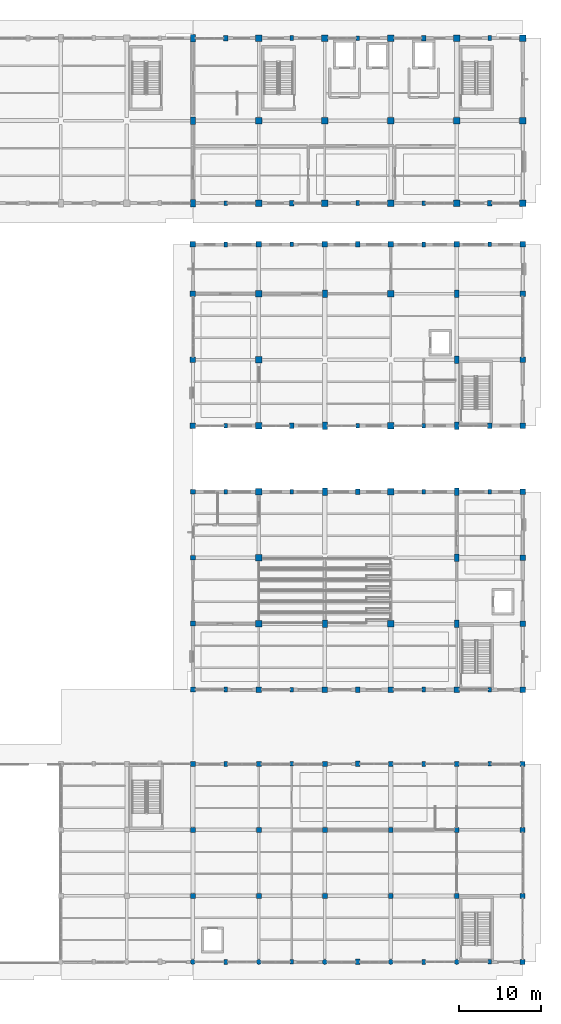
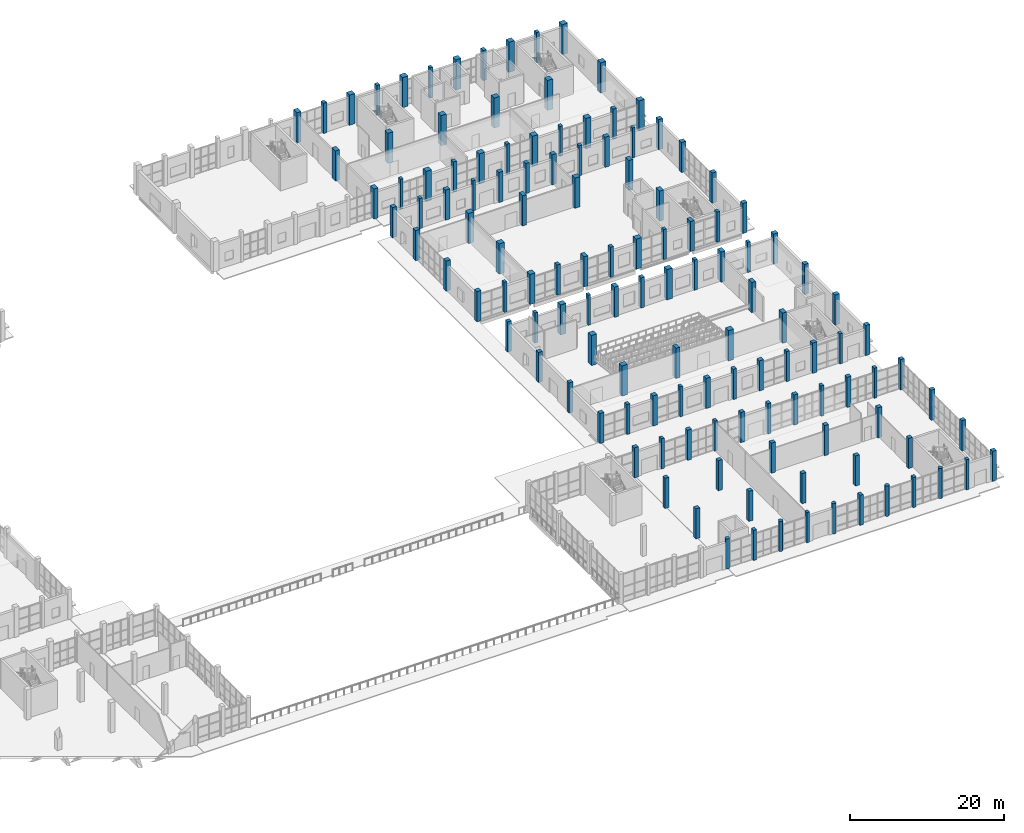
# One storey, part 2 of 156: 126 columns.
"""IFC4 building model written with IfcOpenShell, lengths in metres."""

from ifc_helpers import new_model, si_unit, direction, frame, origin, origin_2d, place, context, subcontext, project, spatial, rectangle, circle, extrude, material, material_profile, profile_set, type_object, element, save


model = new_model("IFC4")

# Units and contexts
model_context = context("Model", 3, precision=1e-05, world=origin(), true_north=direction((0.0, 1.0)))
body_context = subcontext(model_context, "Body", "Model", "MODEL_VIEW")
ifc_project = project(units=[si_unit("LENGTHUNIT", "METRE"), si_unit("AREAUNIT", "SQUARE_METRE"), si_unit("VOLUMEUNIT", "CUBIC_METRE"), si_unit("PLANEANGLEUNIT", "RADIAN"), si_unit("MASSUNIT", "GRAM", prefix="KILO")], contexts=[model_context])

# Site, building, storey
site_placement = place(None, origin())
site = spatial("IfcSite", under=ifc_project, at=site_placement, CompositionType="ELEMENT")
building_placement = place(site_placement, origin())
building = spatial("IfcBuilding", under=site, at=building_placement, Name="Luwemba Playhouse", CompositionType="ELEMENT")
storey_placement = place(building_placement, origin())
storey = spatial("IfcBuildingStorey", under=building, at=storey_placement, Name="L00", CompositionType="ELEMENT", Elevation=0.0)

# Columns
ifc_material = material(Name="Concrete C40/50", Category="concrete")
ifc_material_profile_1 = material_profile(ifc_material, rectangle(XDim=0.60009765625, YDim=0.60009765625, at=origin_2d()))
ifc_profile_set_1 = profile_set([ifc_material_profile_1], Name="Concrete C40/50")
column_type_1 = type_object("IfcColumnType", Name="COL-C04", PredefinedType="COLUMN", material=ifc_profile_set_1)
for number, where, z_axis, x_axis, name in (
    (1, (132.0, 11.0, 0.0), (0.0, 0.0, 1.0), (1.0, 0.0, 0.0), "L00 column 173"),
    (2, (132.0, 19.0, 0.0), (0.0, 0.0, 1.0), (1.0, 0.0, 0.0), "L00 column 174"),
    (3, (132.0, 27.0, 0.0), (0.0, 0.0, 1.0), (1.0, 0.0, 0.0), "L00 column 175"),
    (4, (132.0, 36.0, 0.0), (0.0, 0.0, 1.0), (1.0, 0.0, 0.0), "L00 column 176"),
    (5, (132.0, 44.0, 0.0), (0.0, 0.0, 1.0), (1.0, 0.0, 0.0), "L00 column 177"),
    (6, (132.0, 52.0, 0.0), (0.0, 0.0, 1.0), (1.0, 0.0, 0.0), "L00 column 178"),
    (7, (132.0, 60.0, 0.0), (0.0, 0.0, 1.0), (1.0, 0.0, 0.0), "L00 column 179"),
    (8, (140.0, 11.0, 0.0), (0.0, 0.0, 1.0), (1.0, 0.0, 0.0), "L00 column 196"),
    (9, (140.0, 19.0, 0.0), (0.0, 0.0, 1.0), (1.0, 0.0, 0.0), "L00 column 197"),
    (10, (140.0, 27.0, 0.0), (0.0, 0.0, 1.0), (1.0, 0.0, 0.0), "L00 column 198"),
    (11, (148.0, 11.0, 0.0), (0.0, 0.0, 1.0), (1.0, 0.0, 0.0), "L00 column 219"),
    (12, (148.0, 19.0, 0.0), (0.0, 0.0, 1.0), (1.0, 0.0, 0.0), "L00 column 220"),
    (13, (148.0, 27.0, 0.0), (0.0, 0.0, 1.0), (1.0, 0.0, 0.0), "L00 column 221"),
    (14, (156.0, 11.0, 0.0), (0.0, 0.0, 1.0), (1.0, 0.0, 0.0), "L00 column 242"),
    (15, (156.0, 19.0, 0.0), (0.0, 0.0, 1.0), (1.0, 0.0, 0.0), "L00 column 243"),
    (16, (156.0, 27.0, 0.0), (0.0, 0.0, 1.0), (1.0, 0.0, 0.0), "L00 column 244"),
    (17, (164.0, 11.0, 0.0), (0.0, 0.0, 1.0), (1.0, 0.0, 0.0), "L00 column 265"),
    (18, (164.0, 19.0, 0.0), (0.0, 0.0, 1.0), (1.0, 0.0, 0.0), "L00 column 266"),
    (19, (164.0, 27.0, 0.0), (0.0, 0.0, 1.0), (1.0, 0.0, 0.0), "L00 column 267"),
    (20, (172.0, 3.0, 0.0), (0.0, 0.0, 1.0), (1.0, 0.0, 0.0), "L00 column 287"),
    (21, (172.0, 11.0, 0.0), (0.0, 0.0, 1.0), (1.0, 0.0, 0.0), "L00 column 288"),
    (22, (172.0, 19.0, 0.0), (0.0, 0.0, 1.0), (1.0, 0.0, 0.0), "L00 column 289"),
    (23, (172.0, 27.0, 0.0), (0.0, 0.0, 1.0), (1.0, 0.0, 0.0), "L00 column 290"),
):
    element("IfcColumn", number, at=place(storey_placement, frame(where, z_axis=z_axis, x_axis=x_axis)), inside=storey, type_object=column_type_1, Name=name, PredefinedType="COLUMN", context=body_context, shape_type="SweptSolid", body=[
        extrude(rectangle(XDim=0.60009765625, YDim=0.60009765625, at=origin_2d()), origin(), (0.0, 0.0, 1.0), 4.800048828125),
    ])
ifc_material_profile_2 = material_profile(ifc_material, rectangle(XDim=0.64990234375, YDim=0.64990234375, at=origin_2d()))
ifc_profile_set_2 = profile_set([ifc_material_profile_2], Name="Concrete C40/50")
column_type_2 = type_object("IfcColumnType", Name="COL-C05", PredefinedType="COLUMN", material=ifc_profile_set_2)
for number, where, z_axis, x_axis, name in (
    (24, (132.0, 68.0, 0.0), (0.0, 0.0, 1.0), (1.0, 0.0, 0.0), "L00 column 180"),
    (25, (132.0, 76.0, 0.0), (0.0, 0.0, 1.0), (1.0, 0.0, 0.0), "L00 column 181"),
    (26, (132.0, 84.0, 0.0), (0.0, 0.0, 1.0), (1.0, 0.0, 0.0), "L00 column 182"),
    (27, (132.0, 90.0, 0.0), (0.0, 0.0, 1.0), (1.0, 0.0, 0.0), "L00 column 183"),
    (28, (140.0, 36.0, 0.0), (0.0, 0.0, 1.0), (1.0, 0.0, 0.0), "L00 column 199"),
    (29, (140.0, 90.0, 0.0), (0.0, 0.0, 1.0), (1.0, 0.0, 0.0), "L00 column 206"),
    (30, (148.0, 36.0, 0.0), (0.0, 0.0, 1.0), (1.0, 0.0, 0.0), "L00 column 222"),
    (31, (148.0, 90.0, 0.0), (0.0, 0.0, 1.0), (1.0, 0.0, 0.0), "L00 column 229"),
    (32, (156.0, 36.0, 0.0), (0.0, 0.0, 1.0), (1.0, 0.0, 0.0), "L00 column 245"),
    (33, (156.0, 90.0, 0.0), (0.0, 0.0, 1.0), (1.0, 0.0, 0.0), "L00 column 252"),
    (34, (164.0, 36.0, 0.0), (0.0, 0.0, 1.0), (1.0, 0.0, 0.0), "L00 column 268"),
    (35, (164.0, 90.0, 0.0), (0.0, 0.0, 1.0), (1.0, 0.0, 0.0), "L00 column 275"),
    (36, (172.0, 36.0, 0.0), (0.0, 0.0, 1.0), (1.0, 0.0, 0.0), "L00 column 291"),
    (37, (172.0, 44.0, 0.0), (0.0, 0.0, 1.0), (1.0, 0.0, 0.0), "L00 column 292"),
    (38, (172.0, 52.0, 0.0), (0.0, 0.0, 1.0), (1.0, 0.0, 0.0), "L00 column 293"),
    (39, (172.0, 60.0, 0.0), (0.0, 0.0, 1.0), (1.0, 0.0, 0.0), "L00 column 294"),
    (40, (172.0, 68.0, 0.0), (0.0, 0.0, 1.0), (1.0, 0.0, 0.0), "L00 column 295"),
    (41, (172.0, 76.0, 0.0), (0.0, 0.0, 1.0), (1.0, 0.0, 0.0), "L00 column 296"),
    (42, (172.0, 84.0, 0.0), (0.0, 0.0, 1.0), (1.0, 0.0, 0.0), "L00 column 297"),
    (43, (172.0, 90.0, 0.0), (0.0, 0.0, 1.0), (1.0, 0.0, 0.0), "L00 column 298"),
):
    element("IfcColumn", number, at=place(storey_placement, frame(where, z_axis=z_axis, x_axis=x_axis)), inside=storey, type_object=column_type_2, Name=name, PredefinedType="COLUMN", context=body_context, shape_type="SweptSolid", body=[
        extrude(rectangle(XDim=0.64990234375, YDim=0.64990234375, at=origin_2d()), origin(), (0.0, 0.0, 1.0), 4.800048828125),
    ])
ifc_material_profile_3 = material_profile(ifc_material, rectangle(XDim=0.800048828125, YDim=0.800048828125, at=origin_2d()))
ifc_profile_set_3 = profile_set([ifc_material_profile_3], Name="Concrete C40/50")
column_type_3 = type_object("IfcColumnType", Name="COL-C08", PredefinedType="COLUMN", material=ifc_profile_set_3)
for number, where, z_axis, x_axis, name in (
    (44, (140.0, 44.0, 0.0), (0.0, 0.0, 1.0), (1.0, 0.0, 0.0), "L00 column 200"),
    (45, (140.0, 52.0, 0.0), (0.0, 0.0, 1.0), (1.0, 0.0, 0.0), "L00 column 201"),
    (46, (140.0, 60.0, 0.0), (0.0, 0.0, 1.0), (1.0, 0.0, 0.0), "L00 column 202"),
    (47, (140.0, 68.0, 0.0), (0.0, 0.0, 1.0), (1.0, 0.0, 0.0), "L00 column 203"),
    (48, (140.0, 76.0, 0.0), (0.0, 0.0, 1.0), (1.0, 0.0, 0.0), "L00 column 204"),
    (49, (140.0, 84.0, 0.0), (0.0, 0.0, 1.0), (1.0, 0.0, 0.0), "L00 column 205"),
    (50, (140.0, 95.0, 0.0), (0.0, 0.0, 1.0), (1.0, 0.0, 0.0), "L00 column 207"),
    (51, (140.0, 105.0, 0.0), (0.0, 0.0, 1.0), (1.0, 0.0, 0.0), "L00 column 208"),
    (52, (140.0, 115.0, 0.0), (0.0, 0.0, 1.0), (1.0, 0.0, 0.0), "L00 column 209"),
    (53, (148.0, 95.0, 0.0), (0.0, 0.0, 1.0), (1.0, 0.0, 0.0), "L00 column 230"),
    (54, (148.0, 105.0, 0.0), (0.0, 0.0, 1.0), (1.0, 0.0, 0.0), "L00 column 231"),
    (55, (148.0, 115.0, 0.0), (0.0, 0.0, 1.0), (1.0, 0.0, 0.0), "L00 column 232"),
    (56, (156.0, 44.0, 0.0), (0.0, 0.0, 1.0), (1.0, 0.0, 0.0), "L00 column 246"),
    (57, (156.0, 60.0, 0.0), (0.0, 0.0, 1.0), (1.0, 0.0, 0.0), "L00 column 248"),
    (58, (156.0, 68.0, 0.0), (0.0, 0.0, 1.0), (1.0, 0.0, 0.0), "L00 column 249"),
    (59, (156.0, 84.0, 0.0), (0.0, 0.0, 1.0), (1.0, 0.0, 0.0), "L00 column 251"),
    (60, (156.0, 95.0, 0.0), (0.0, 0.0, 1.0), (1.0, 0.0, 0.0), "L00 column 253"),
    (61, (156.0, 105.0, 0.0), (0.0, 0.0, 1.0), (1.0, 0.0, 0.0), "L00 column 254"),
    (62, (156.0, 115.0, 0.0), (0.0, 0.0, 1.0), (1.0, 0.0, 0.0), "L00 column 255"),
    (63, (164.0, 95.0, 0.0), (0.0, 0.0, 1.0), (1.0, 0.0, 0.0), "L00 column 276"),
    (64, (164.0, 105.0, 0.0), (0.0, 0.0, 1.0), (1.0, 0.0, 0.0), "L00 column 277"),
    (65, (164.0, 115.0, 0.0), (0.0, 0.0, 1.0), (1.0, 0.0, 0.0), "L00 column 278"),
    (66, (172.0, 95.0, 0.0), (0.0, 0.0, 1.0), (1.0, 0.0, 0.0), "L00 column 299"),
    (67, (172.0, 105.0, 0.0), (0.0, 0.0, 1.0), (1.0, 0.0, 0.0), "L00 column 300"),
    (68, (172.0, 115.0, 0.0), (0.0, 0.0, 1.0), (1.0, 0.0, 0.0), "L00 column 301"),
):
    element("IfcColumn", number, at=place(storey_placement, frame(where, z_axis=z_axis, x_axis=x_axis)), inside=storey, type_object=column_type_3, Name=name, PredefinedType="COLUMN", context=body_context, shape_type="SweptSolid", body=[
        extrude(rectangle(XDim=0.800048828125, YDim=0.800048828125, at=origin_2d()), origin(), (0.0, 0.0, 1.0), 4.800048828125),
    ])
ifc_material_profile_4 = material_profile(ifc_material, rectangle(XDim=0.60009765625, YDim=0.89990234375, at=origin_2d()))
ifc_profile_set_4 = profile_set([ifc_material_profile_4], Name="Concrete C40/50")
column_type_4 = type_object("IfcColumnType", Name="COL-C13", PredefinedType="COLUMN", material=ifc_profile_set_4)
for number, where, z_axis, x_axis, name in (
    (69, (132.0, 95.0, 0.0), (0.0, 0.0, 1.0), (1.0, 0.0, 0.0), "L00 column 184"),
    (70, (132.0, 105.0, 0.0), (0.0, 0.0, 1.0), (1.0, 0.0, 0.0), "L00 column 185"),
    (71, (132.0, 115.0, 0.0), (0.0, 0.0, 1.0), (1.0, 0.0, 0.0), "L00 column 186"),
    (72, (148.0, 44.0, 0.0), (0.0, 0.0, 1.0), (1.0, 0.0, 0.0), "L00 column 223"),
    (73, (148.0, 60.0, 0.0), (0.0, 0.0, 1.0), (1.0, 0.0, 0.0), "L00 column 225"),
    (74, (148.0, 68.0, 0.0), (0.0, 0.0, 1.0), (1.0, 0.0, 0.0), "L00 column 226"),
    (75, (148.0, 84.0, 0.0), (0.0, 0.0, 1.0), (1.0, 0.0, 0.0), "L00 column 228"),
    (76, (164.0, 44.0, 0.0), (0.0, 0.0, 1.0), (1.0, 0.0, 0.0), "L00 column 269"),
    (77, (164.0, 52.0, 0.0), (0.0, 0.0, 1.0), (1.0, 0.0, 0.0), "L00 column 270"),
    (78, (164.0, 60.0, 0.0), (0.0, 0.0, 1.0), (1.0, 0.0, 0.0), "L00 column 271"),
    (79, (164.0, 68.0, 0.0), (0.0, 0.0, 1.0), (1.0, 0.0, 0.0), "L00 column 272"),
    (80, (164.0, 76.0, 0.0), (0.0, 0.0, 1.0), (1.0, 0.0, 0.0), "L00 column 273"),
    (81, (164.0, 84.0, 0.0), (0.0, 0.0, 1.0), (1.0, 0.0, 0.0), "L00 column 274"),
):
    element("IfcColumn", number, at=place(storey_placement, frame(where, z_axis=z_axis, x_axis=x_axis)), inside=storey, type_object=column_type_4, Name=name, PredefinedType="COLUMN", context=body_context, shape_type="SweptSolid", body=[
        extrude(rectangle(XDim=0.60009765625, YDim=0.89990234375, at=origin_2d()), origin(), (0.0, 0.0, 1.0), 4.800048828125),
    ])
ifc_material_profile_5 = material_profile(ifc_material, circle(Radius=0.300048828125, at=origin_2d()))
ifc_profile_set_5 = profile_set([ifc_material_profile_5], Name="Concrete C40/50")
column_type_5 = type_object("IfcColumnType", Name="COL-C14", PredefinedType="COLUMN", material=ifc_profile_set_5)
for number, where, z_axis, x_axis, name in (
    (82, (132.0, 3.0, 0.0), (0.0, 0.0, 1.0), (1.0, 0.0, 0.0), "L00 column 172"),
    (83, (140.0, 3.0, 0.0), (0.0, 0.0, 1.0), (1.0, 0.0, 0.0), "L00 column 195"),
    (84, (148.0, 3.0, 0.0), (0.0, 0.0, 1.0), (1.0, 0.0, 0.0), "L00 column 218"),
    (85, (156.0, 3.0, 0.0), (0.0, 0.0, 1.0), (1.0, 0.0, 0.0), "L00 column 241"),
    (86, (164.0, 3.0, 0.0), (0.0, 0.0, 1.0), (1.0, 0.0, 0.0), "L00 column 264"),
):
    element("IfcColumn", number, at=place(storey_placement, frame(where, z_axis=z_axis, x_axis=x_axis)), inside=storey, type_object=column_type_5, Name=name, PredefinedType="COLUMN", context=body_context, shape_type="SweptSolid", body=[
        extrude(circle(Radius=0.300048828125, at=origin_2d()), origin(), (0.0, 0.0, 1.0), 4.800048828125),
    ])
ifc_material_profile_6 = material_profile(ifc_material, rectangle(XDim=0.39990234375, YDim=0.550048828125, at=origin_2d()))
ifc_profile_set_6 = profile_set([ifc_material_profile_6], Name="Concrete C40/50")
column_type_6 = type_object("IfcColumnType", Name="COL-PIL1", PredefinedType="PILASTER", material=ifc_profile_set_6)
for number, where, z_axis, x_axis, name in (
    (87, (136.0, 68.0, 0.0), (0.0, 0.0, 1.0), (1.0, 0.0, 0.0), "L00 column 191"),
    (88, (136.0, 95.0, 0.0), (0.0, 0.0, 1.0), (1.0, 0.0, 0.0), "L00 column 193"),
    (89, (144.0, 3.0, 0.0), (0.0, 0.0, 1.0), (1.0, 0.0, 0.0), "L00 column 210"),
    (90, (144.0, 27.0, 0.0), (0.0, 0.0, 1.0), (1.0, 0.0, 0.0), "L00 column 211"),
    (91, (144.0, 36.0, 0.0), (0.0, 0.0, 1.0), (1.0, 0.0, 0.0), "L00 column 212"),
    (92, (144.0, 60.0, 0.0), (0.0, 0.0, 1.0), (1.0, 0.0, 0.0), "L00 column 213"),
    (93, (144.0, 90.0, 0.0), (0.0, 0.0, 1.0), (1.0, 0.0, 0.0), "L00 column 215"),
    (94, (152.0, 115.0, 0.0), (0.0, 0.0, 1.0), (1.0, 0.0, 0.0), "L00 column 240"),
    (95, (160.0, 68.0, 0.0), (0.0, 0.0, 1.0), (1.0, 0.0, 0.0), "L00 column 260"),
    (96, (160.0, 95.0, 0.0), (0.0, 0.0, 1.0), (1.0, 0.0, 0.0), "L00 column 262"),
    (97, (168.0, 3.0, 0.0), (0.0, 0.0, 1.0), (1.0, 0.0, 0.0), "L00 column 279"),
    (98, (168.0, 27.0, 0.0), (0.0, 0.0, 1.0), (1.0, 0.0, 0.0), "L00 column 280"),
    (99, (168.0, 36.0, 0.0), (0.0, 0.0, 1.0), (1.0, 0.0, 0.0), "L00 column 281"),
    (100, (168.0, 60.0, 0.0), (0.0, 0.0, 1.0), (1.0, 0.0, 0.0), "L00 column 282"),
    (101, (168.0, 90.0, 0.0), (0.0, 0.0, 1.0), (1.0, 0.0, 0.0), "L00 column 284"),
):
    element("IfcColumn", number, at=place(storey_placement, frame(where, z_axis=z_axis, x_axis=x_axis)), inside=storey, type_object=column_type_6, Name=name, PredefinedType="PILASTER", context=body_context, shape_type="SweptSolid", body=[
        extrude(rectangle(XDim=0.39990234375, YDim=0.550048828125, at=origin_2d()), origin(), (0.0, 0.0, 1.0), 4.800048828125),
    ])
ifc_material_profile_7 = material_profile(ifc_material, rectangle(XDim=0.449951171875, YDim=0.60009765625, at=origin_2d()))
ifc_profile_set_7 = profile_set([ifc_material_profile_7], Name="Concrete C40/50")
column_type_7 = type_object("IfcColumnType", Name="COL-PIL2", PredefinedType="PILASTER", material=ifc_profile_set_7)
for number, where, z_axis, x_axis, name in (
    (102, (136.0, 3.0, 0.0), (0.0, 0.0, 1.0), (1.0, 0.0, 0.0), "L00 column 187"),
    (103, (136.0, 27.0, 0.0), (0.0, 0.0, 1.0), (1.0, 0.0, 0.0), "L00 column 188"),
    (104, (136.0, 36.0, 0.0), (0.0, 0.0, 1.0), (1.0, 0.0, 0.0), "L00 column 189"),
    (105, (136.0, 60.0, 0.0), (0.0, 0.0, 1.0), (1.0, 0.0, 0.0), "L00 column 190"),
    (106, (136.0, 90.0, 0.0), (0.0, 0.0, 1.0), (1.0, 0.0, 0.0), "L00 column 192"),
    (107, (144.0, 115.0, 0.0), (0.0, 0.0, 1.0), (1.0, 0.0, 0.0), "L00 column 217"),
    (108, (152.0, 68.0, 0.0), (0.0, 0.0, 1.0), (1.0, 0.0, 0.0), "L00 column 237"),
    (109, (152.0, 95.0, 0.0), (0.0, 0.0, 1.0), (1.0, 0.0, 0.0), "L00 column 239"),
    (110, (160.0, 3.0, 0.0), (0.0, 0.0, 1.0), (1.0, 0.0, 0.0), "L00 column 256"),
    (111, (160.0, 27.0, 0.0), (0.0, 0.0, 1.0), (1.0, 0.0, 0.0), "L00 column 257"),
    (112, (160.0, 36.0, 0.0), (0.0, 0.0, 1.0), (1.0, 0.0, 0.0), "L00 column 258"),
    (113, (160.0, 60.0, 0.0), (0.0, 0.0, 1.0), (1.0, 0.0, 0.0), "L00 column 259"),
    (114, (160.0, 90.0, 0.0), (0.0, 0.0, 1.0), (1.0, 0.0, 0.0), "L00 column 261"),
    (115, (168.0, 115.0, 0.0), (0.0, 0.0, 1.0), (1.0, 0.0, 0.0), "L00 column 286"),
):
    element("IfcColumn", number, at=place(storey_placement, frame(where, z_axis=z_axis, x_axis=x_axis)), inside=storey, type_object=column_type_7, Name=name, PredefinedType="PILASTER", context=body_context, shape_type="SweptSolid", body=[
        extrude(rectangle(XDim=0.449951171875, YDim=0.60009765625, at=origin_2d()), origin(), (0.0, 0.0, 1.0), 4.800048828125),
    ])
ifc_material_profile_8 = material_profile(ifc_material, rectangle(XDim=0.5, YDim=0.64990234375, at=origin_2d()))
ifc_profile_set_8 = profile_set([ifc_material_profile_8], Name="Concrete C40/50")
column_type_8 = type_object("IfcColumnType", Name="COL-PIL3", PredefinedType="PILASTER", material=ifc_profile_set_8)
for number, where, z_axis, x_axis, name in (
    (116, (136.0, 115.0, 0.0), (0.0, 0.0, 1.0), (1.0, 0.0, 0.0), "L00 column 194"),
    (117, (144.0, 68.0, 0.0), (0.0, 0.0, 1.0), (1.0, 0.0, 0.0), "L00 column 214"),
    (118, (144.0, 95.0, 0.0), (0.0, 0.0, 1.0), (1.0, 0.0, 0.0), "L00 column 216"),
    (119, (152.0, 3.0, 0.0), (0.0, 0.0, 1.0), (1.0, 0.0, 0.0), "L00 column 233"),
    (120, (152.0, 27.0, 0.0), (0.0, 0.0, 1.0), (1.0, 0.0, 0.0), "L00 column 234"),
    (121, (152.0, 36.0, 0.0), (0.0, 0.0, 1.0), (1.0, 0.0, 0.0), "L00 column 235"),
    (122, (152.0, 60.0, 0.0), (0.0, 0.0, 1.0), (1.0, 0.0, 0.0), "L00 column 236"),
    (123, (152.0, 90.0, 0.0), (0.0, 0.0, 1.0), (1.0, 0.0, 0.0), "L00 column 238"),
    (124, (160.0, 115.0, 0.0), (0.0, 0.0, 1.0), (1.0, 0.0, 0.0), "L00 column 263"),
    (125, (168.0, 68.0, 0.0), (0.0, 0.0, 1.0), (1.0, 0.0, 0.0), "L00 column 283"),
    (126, (168.0, 95.0, 0.0), (0.0, 0.0, 1.0), (1.0, 0.0, 0.0), "L00 column 285"),
):
    element("IfcColumn", number, at=place(storey_placement, frame(where, z_axis=z_axis, x_axis=x_axis)), inside=storey, type_object=column_type_8, Name=name, PredefinedType="PILASTER", context=body_context, shape_type="SweptSolid", body=[
        extrude(rectangle(XDim=0.5, YDim=0.64990234375, at=origin_2d()), origin(), (0.0, 0.0, 1.0), 4.800048828125),
    ])

save(model, "model.ifc")
